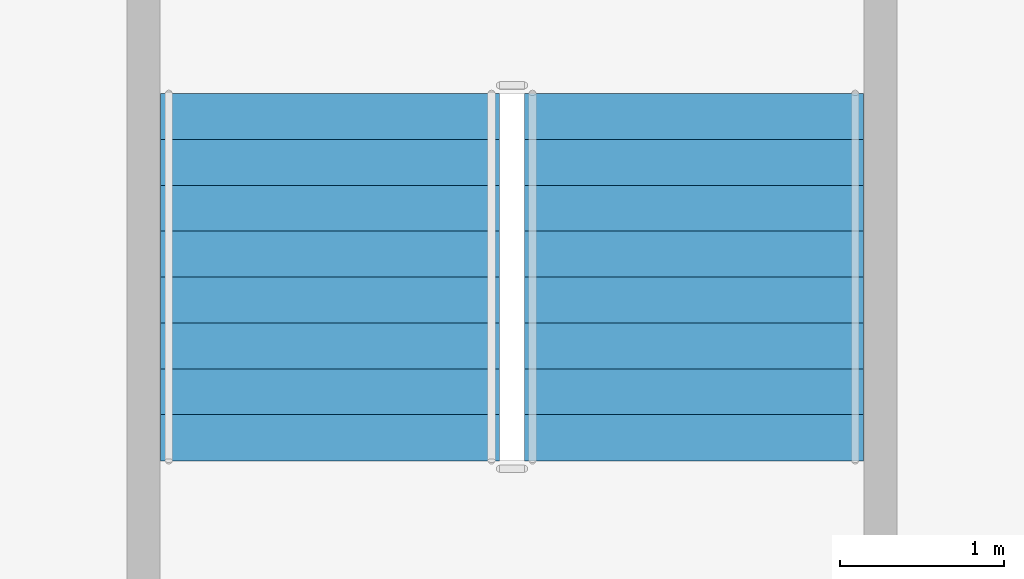
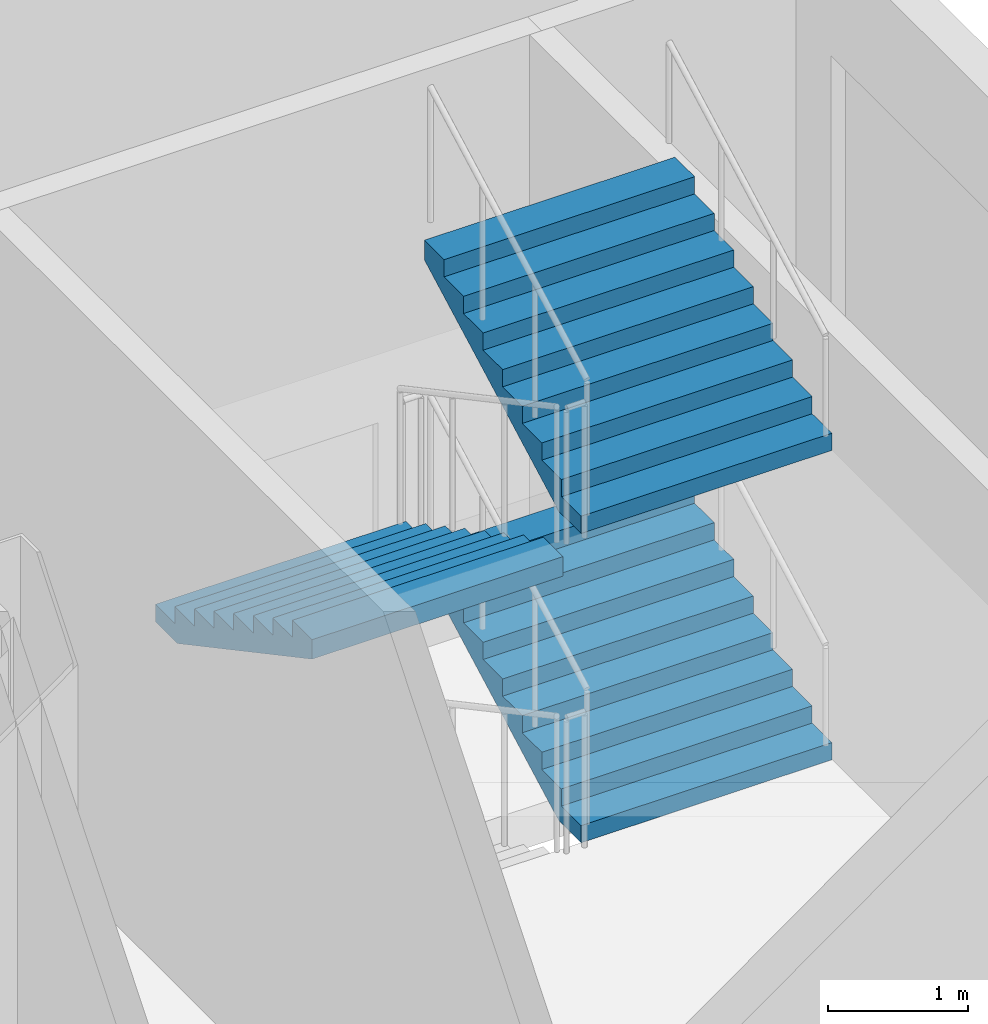
# One storey, part 19 of 26: 3 stair flights, 1 element without a shape of its own.
"""IFC4 building model written with IfcOpenShell, lengths in metres."""

from ifc_helpers import new_model, si_unit, direction, frame, origin, place, context, subcontext, project, spatial, polygons, material, type_object, element, aggregate, save


model = new_model("IFC4")

# Units and contexts
model_context = context("Model", 3, precision=1e-05, world=origin(), true_north=direction((0.0, 1.0)))
body_context = subcontext(model_context, "Body", "Model", "MODEL_VIEW")
ifc_project = project(units=[si_unit("LENGTHUNIT", "METRE"), si_unit("AREAUNIT", "SQUARE_METRE"), si_unit("VOLUMEUNIT", "CUBIC_METRE"), si_unit("PLANEANGLEUNIT", "RADIAN"), si_unit("MASSUNIT", "GRAM", prefix="KILO")], contexts=[model_context])

# Site, building, storey
site_placement = place(None, origin())
site = spatial("IfcSite", under=ifc_project, at=site_placement, CompositionType="ELEMENT")
building_placement = place(site_placement, origin())
building = spatial("IfcBuilding", under=site, at=building_placement, Name="Caravel Reach Hotel and Residences", CompositionType="ELEMENT")
storey_placement = place(building_placement, frame((0.0, 0.0, 12.0)))
storey = spatial("IfcBuildingStorey", under=building, at=storey_placement, Name="L02", CompositionType="ELEMENT", Elevation=12.0)

# Stair, stair flights
ifc_material_1 = material(Name="Concrete C40", Category="concrete")
stair_type = type_object("IfcStairType", Name="Core stair", PredefinedType="HALF_TURN_STAIR", material=ifc_material_1)
stair_placement = place(storey_placement, origin())
stair = element("IfcStair", 1, at=stair_placement, inside=storey, type_object=stair_type, Name="L02 Exit stair P7", PredefinedType="HALF_TURN_STAIR")
ifc_material_2 = material(Name="Concrete C40", Category="concrete")
stair_flight_type = type_object("IfcStairFlightType", Name="Core stair flight", PredefinedType="STRAIGHT", material=ifc_material_2)
stair_flight_1_placement = place(storey_placement, frame((64.360107421875, 9.070068359375, 1.35009765625), z_axis=(0.0, 0.0, 1.0), x_axis=(0.0, 1.0, 0.0)))
stair_flight_1 = element("IfcStairFlight", 2, at=stair_flight_1_placement, type_object=stair_flight_type, Name="ST-P7 flight 2", NumberOfRisers=9, NumberOfTreads=8, PredefinedType="STRAIGHT", RiserHeight=0.15, TreadLength=0.28, context=body_context, shape_type="Tessellation", body=[
    polygons([(0.3174408016601864, 1.0350341796875, 0.0), (0.3174408016601864, 0.6900227864583333, 0.0), (0.3174408016601864, 0.34501139322916663, 0.0), (0.3174408016601864, 0.0, 0.0), (0.3174408016601864, -0.34501139322916674, 0.0), (0.3174408016601864, -0.6900227864583333, 0.0), (0.3174408016601864, -1.0350341796875, 0.0), (2.241, 1.0350341796875, 1.029942427682043), (2.241, 0.6900227864583333, 1.029942427682043), (2.241, 0.34501139322916663, 1.029942427682043), (2.241, 0.0, 1.029942427682043), (2.241, -0.34501139322916674, 1.029942427682043), (2.241, -0.6900227864583333, 1.029942427682043), (2.241, -1.0350341796875, 1.029942427682043), (2.241, 1.0350341796875, 1.2), (2.241, 0.6900227864583333, 1.2), (2.241, 0.34501139322916663, 1.2), (2.241, 0.0, 1.2), (2.241, -0.34501139322916674, 1.2), (2.241, -0.6900227864583333, 1.2), (2.241, -1.0350341796875, 1.2), (1.9600000000000002, 1.0350341796875, 1.2), (1.9600000000000002, 0.6900227864583333, 1.2), (1.9600000000000002, 0.34501139322916663, 1.2), (1.9600000000000002, 0.0, 1.2), (1.9600000000000002, -0.34501139322916674, 1.2), (1.9600000000000002, -0.6900227864583333, 1.2), (1.9600000000000002, -1.0350341796875, 1.2), (1.9600000000000002, 1.0350341796875, 1.05), (1.9600000000000002, 0.6900227864583333, 1.05), (1.9600000000000002, 0.34501139322916663, 1.05), (1.9600000000000002, 0.0, 1.05), (1.9600000000000002, -0.34501139322916674, 1.05), (1.9600000000000002, -0.6900227864583333, 1.05), (1.9600000000000002, -1.0350341796875, 1.05), (1.6800000000000002, 1.0350341796875, 1.05), (1.6800000000000002, 0.6900227864583333, 1.05), (1.6800000000000002, 0.34501139322916663, 1.05), (1.6800000000000002, 0.0, 1.05), (1.6800000000000002, -0.34501139322916674, 1.05), (1.6800000000000002, -0.6900227864583333, 1.05), (1.6800000000000002, -1.0350341796875, 1.05), (1.6800000000000002, 1.0350341796875, 0.8999999999999999), (1.6800000000000002, 0.6900227864583333, 0.8999999999999999), (1.6800000000000002, 0.34501139322916663, 0.8999999999999999), (1.6800000000000002, 0.0, 0.8999999999999999), (1.6800000000000002, -0.34501139322916674, 0.8999999999999999), (1.6800000000000002, -0.6900227864583333, 0.8999999999999999), (1.6800000000000002, -1.0350341796875, 0.8999999999999999), (1.4000000000000001, 1.0350341796875, 0.8999999999999999), (1.4000000000000001, 0.6900227864583333, 0.8999999999999999), (1.4000000000000001, 0.34501139322916663, 0.8999999999999999), (1.4000000000000001, 0.0, 0.8999999999999999), (1.4000000000000001, -0.34501139322916674, 0.8999999999999999), (1.4000000000000001, -0.6900227864583333, 0.8999999999999999), (1.4000000000000001, -1.0350341796875, 0.8999999999999999), (1.4000000000000001, 1.0350341796875, 0.75), (1.4000000000000001, 0.6900227864583333, 0.75), (1.4000000000000001, 0.34501139322916663, 0.75), (1.4000000000000001, 0.0, 0.75), (1.4000000000000001, -0.34501139322916674, 0.75), (1.4000000000000001, -0.6900227864583333, 0.75), (1.4000000000000001, -1.0350341796875, 0.75), (1.12, 1.0350341796875, 0.75), (1.12, 0.6900227864583333, 0.75), (1.12, 0.34501139322916663, 0.75), (1.12, 0.0, 0.75), (1.12, -0.34501139322916674, 0.75), (1.12, -0.6900227864583333, 0.75), (1.12, -1.0350341796875, 0.75), (1.12, 1.0350341796875, 0.6), (1.12, 0.6900227864583333, 0.6), (1.12, 0.34501139322916663, 0.6), (1.12, 0.0, 0.6), (1.12, -0.34501139322916674, 0.6), (1.12, -0.6900227864583333, 0.6), (1.12, -1.0350341796875, 0.6), (0.8400000000000001, 1.0350341796875, 0.6), (0.8400000000000001, 0.6900227864583333, 0.6), (0.8400000000000001, 0.34501139322916663, 0.6), (0.8400000000000001, 0.0, 0.6), (0.8400000000000001, -0.34501139322916674, 0.6), (0.8400000000000001, -0.6900227864583333, 0.6), (0.8400000000000001, -1.0350341796875, 0.6), (0.8400000000000001, 1.0350341796875, 0.44999999999999996), (0.8400000000000001, 0.6900227864583333, 0.44999999999999996), (0.8400000000000001, 0.34501139322916663, 0.44999999999999996), (0.8400000000000001, 0.0, 0.44999999999999996), (0.8400000000000001, -0.34501139322916674, 0.44999999999999996), (0.8400000000000001, -0.6900227864583333, 0.44999999999999996), (0.8400000000000001, -1.0350341796875, 0.44999999999999996), (0.56, 1.0350341796875, 0.44999999999999996), (0.56, 0.6900227864583333, 0.44999999999999996), (0.56, 0.34501139322916663, 0.44999999999999996), (0.56, 0.0, 0.44999999999999996), (0.56, -0.34501139322916674, 0.44999999999999996), (0.56, -0.6900227864583333, 0.44999999999999996), (0.56, -1.0350341796875, 0.44999999999999996), (0.56, 1.0350341796875, 0.3), (0.56, 0.6900227864583333, 0.3), (0.56, 0.34501139322916663, 0.3), (0.56, 0.0, 0.3), (0.56, -0.34501139322916674, 0.3), (0.56, -0.6900227864583333, 0.3), (0.56, -1.0350341796875, 0.3), (0.28, 1.0350341796875, 0.3), (0.28, 0.6900227864583333, 0.3), (0.28, 0.34501139322916663, 0.3), (0.28, 0.0, 0.3), (0.28, -0.34501139322916674, 0.3), (0.28, -0.6900227864583333, 0.3), (0.28, -1.0350341796875, 0.3), (0.28, 1.0350341796875, 0.15), (0.28, 0.6900227864583333, 0.15), (0.28, 0.34501139322916663, 0.15), (0.28, 0.0, 0.15), (0.28, -0.34501139322916674, 0.15), (0.28, -0.6900227864583333, 0.15), (0.28, -1.0350341796875, 0.15), (-0.001, 1.0350341796875, 0.15), (-0.001, 0.6900227864583333, 0.15), (-0.001, 0.34501139322916663, 0.15), (-0.001, 0.0, 0.15), (-0.001, -0.34501139322916674, 0.15), (-0.001, -0.6900227864583333, 0.15), (-0.001, -1.0350341796875, 0.15), (-0.001, 1.0350341796875, 0.0), (-0.001, 0.6900227864583333, 0.0), (-0.001, 0.34501139322916663, 0.0), (-0.001, 0.0, 0.0), (-0.001, -0.34501139322916674, 0.0), (-0.001, -0.6900227864583333, 0.0), (-0.001, -1.0350341796875, 0.0)], [[[127, 120, 113, 106, 99, 92, 85, 78, 71, 64, 57, 50, 43, 36, 29, 22, 15, 8, 1]], [[7, 14, 21, 28, 35, 42, 49, 56, 63, 70, 77, 84, 91, 98, 105, 112, 119, 126, 133]], [[1, 8, 9, 2]], [[2, 9, 10, 3]], [[3, 10, 11, 4]], [[4, 11, 12, 5]], [[5, 12, 13, 6]], [[6, 13, 14, 7]], [[8, 15, 16, 9]], [[9, 16, 17, 10]], [[10, 17, 18, 11]], [[11, 18, 19, 12]], [[12, 19, 20, 13]], [[13, 20, 21, 14]], [[15, 22, 23, 16]], [[16, 23, 24, 17]], [[17, 24, 25, 18]], [[18, 25, 26, 19]], [[19, 26, 27, 20]], [[20, 27, 28, 21]], [[22, 29, 30, 23]], [[23, 30, 31, 24]], [[24, 31, 32, 25]], [[25, 32, 33, 26]], [[26, 33, 34, 27]], [[27, 34, 35, 28]], [[29, 36, 37, 30]], [[30, 37, 38, 31]], [[31, 38, 39, 32]], [[32, 39, 40, 33]], [[33, 40, 41, 34]], [[34, 41, 42, 35]], [[36, 43, 44, 37]], [[37, 44, 45, 38]], [[38, 45, 46, 39]], [[39, 46, 47, 40]], [[40, 47, 48, 41]], [[41, 48, 49, 42]], [[43, 50, 51, 44]], [[44, 51, 52, 45]], [[45, 52, 53, 46]], [[46, 53, 54, 47]], [[47, 54, 55, 48]], [[48, 55, 56, 49]], [[50, 57, 58, 51]], [[51, 58, 59, 52]], [[52, 59, 60, 53]], [[53, 60, 61, 54]], [[54, 61, 62, 55]], [[55, 62, 63, 56]], [[57, 64, 65, 58]], [[58, 65, 66, 59]], [[59, 66, 67, 60]], [[60, 67, 68, 61]], [[61, 68, 69, 62]], [[62, 69, 70, 63]], [[64, 71, 72, 65]], [[65, 72, 73, 66]], [[66, 73, 74, 67]], [[67, 74, 75, 68]], [[68, 75, 76, 69]], [[69, 76, 77, 70]], [[71, 78, 79, 72]], [[72, 79, 80, 73]], [[73, 80, 81, 74]], [[74, 81, 82, 75]], [[75, 82, 83, 76]], [[76, 83, 84, 77]], [[78, 85, 86, 79]], [[79, 86, 87, 80]], [[80, 87, 88, 81]], [[81, 88, 89, 82]], [[82, 89, 90, 83]], [[83, 90, 91, 84]], [[85, 92, 93, 86]], [[86, 93, 94, 87]], [[87, 94, 95, 88]], [[88, 95, 96, 89]], [[89, 96, 97, 90]], [[90, 97, 98, 91]], [[92, 99, 100, 93]], [[93, 100, 101, 94]], [[94, 101, 102, 95]], [[95, 102, 103, 96]], [[96, 103, 104, 97]], [[97, 104, 105, 98]], [[99, 106, 107, 100]], [[100, 107, 108, 101]], [[101, 108, 109, 102]], [[102, 109, 110, 103]], [[103, 110, 111, 104]], [[104, 111, 112, 105]], [[106, 113, 114, 107]], [[107, 114, 115, 108]], [[108, 115, 116, 109]], [[109, 116, 117, 110]], [[110, 117, 118, 111]], [[111, 118, 119, 112]], [[113, 120, 121, 114]], [[114, 121, 122, 115]], [[115, 122, 123, 116]], [[116, 123, 124, 117]], [[117, 124, 125, 118]], [[118, 125, 126, 119]], [[120, 127, 128, 121]], [[121, 128, 129, 122]], [[122, 129, 130, 123]], [[123, 130, 131, 124]], [[124, 131, 132, 125]], [[125, 132, 133, 126]], [[127, 1, 2, 128]], [[128, 2, 3, 129]], [[129, 3, 4, 130]], [[130, 4, 5, 131]], [[131, 5, 6, 132]], [[132, 6, 7, 133]]], closed=True),
])
stair_flight_2_placement = place(storey_placement, frame((62.139892578125, 11.31005859375, 2.699951171875), z_axis=(0.0, 0.0, 1.0), x_axis=(0.0, -1.0, 0.0)))
stair_flight_2 = element("IfcStairFlight", 3, at=stair_flight_2_placement, type_object=stair_flight_type, Name="ST-P7 flight 3", NumberOfRisers=9, NumberOfTreads=8, PredefinedType="STRAIGHT", RiserHeight=0.15, TreadLength=0.28, context=body_context, shape_type="Tessellation", body=[
    polygons([(0.3174408016601864, 1.0350341796875, 0.0), (0.3174408016601864, 0.6900227864583333, 0.0), (0.3174408016601864, 0.34501139322916663, 0.0), (0.3174408016601864, 0.0, 0.0), (0.3174408016601864, -0.34501139322916674, 0.0), (0.3174408016601864, -0.6900227864583333, 0.0), (0.3174408016601864, -1.0350341796875, 0.0), (2.241, 1.0350341796875, 1.029942427682043), (2.241, 0.6900227864583333, 1.029942427682043), (2.241, 0.34501139322916663, 1.029942427682043), (2.241, 0.0, 1.029942427682043), (2.241, -0.34501139322916674, 1.029942427682043), (2.241, -0.6900227864583333, 1.029942427682043), (2.241, -1.0350341796875, 1.029942427682043), (2.241, 1.0350341796875, 1.2), (2.241, 0.6900227864583333, 1.2), (2.241, 0.34501139322916663, 1.2), (2.241, 0.0, 1.2), (2.241, -0.34501139322916674, 1.2), (2.241, -0.6900227864583333, 1.2), (2.241, -1.0350341796875, 1.2), (1.9600000000000002, 1.0350341796875, 1.2), (1.9600000000000002, 0.6900227864583333, 1.2), (1.9600000000000002, 0.34501139322916663, 1.2), (1.9600000000000002, 0.0, 1.2), (1.9600000000000002, -0.34501139322916674, 1.2), (1.9600000000000002, -0.6900227864583333, 1.2), (1.9600000000000002, -1.0350341796875, 1.2), (1.9600000000000002, 1.0350341796875, 1.05), (1.9600000000000002, 0.6900227864583333, 1.05), (1.9600000000000002, 0.34501139322916663, 1.05), (1.9600000000000002, 0.0, 1.05), (1.9600000000000002, -0.34501139322916674, 1.05), (1.9600000000000002, -0.6900227864583333, 1.05), (1.9600000000000002, -1.0350341796875, 1.05), (1.6800000000000002, 1.0350341796875, 1.05), (1.6800000000000002, 0.6900227864583333, 1.05), (1.6800000000000002, 0.34501139322916663, 1.05), (1.6800000000000002, 0.0, 1.05), (1.6800000000000002, -0.34501139322916674, 1.05), (1.6800000000000002, -0.6900227864583333, 1.05), (1.6800000000000002, -1.0350341796875, 1.05), (1.6800000000000002, 1.0350341796875, 0.8999999999999999), (1.6800000000000002, 0.6900227864583333, 0.8999999999999999), (1.6800000000000002, 0.34501139322916663, 0.8999999999999999), (1.6800000000000002, 0.0, 0.8999999999999999), (1.6800000000000002, -0.34501139322916674, 0.8999999999999999), (1.6800000000000002, -0.6900227864583333, 0.8999999999999999), (1.6800000000000002, -1.0350341796875, 0.8999999999999999), (1.4000000000000001, 1.0350341796875, 0.8999999999999999), (1.4000000000000001, 0.6900227864583333, 0.8999999999999999), (1.4000000000000001, 0.34501139322916663, 0.8999999999999999), (1.4000000000000001, 0.0, 0.8999999999999999), (1.4000000000000001, -0.34501139322916674, 0.8999999999999999), (1.4000000000000001, -0.6900227864583333, 0.8999999999999999), (1.4000000000000001, -1.0350341796875, 0.8999999999999999), (1.4000000000000001, 1.0350341796875, 0.75), (1.4000000000000001, 0.6900227864583333, 0.75), (1.4000000000000001, 0.34501139322916663, 0.75), (1.4000000000000001, 0.0, 0.75), (1.4000000000000001, -0.34501139322916674, 0.75), (1.4000000000000001, -0.6900227864583333, 0.75), (1.4000000000000001, -1.0350341796875, 0.75), (1.12, 1.0350341796875, 0.75), (1.12, 0.6900227864583333, 0.75), (1.12, 0.34501139322916663, 0.75), (1.12, 0.0, 0.75), (1.12, -0.34501139322916674, 0.75), (1.12, -0.6900227864583333, 0.75), (1.12, -1.0350341796875, 0.75), (1.12, 1.0350341796875, 0.6), (1.12, 0.6900227864583333, 0.6), (1.12, 0.34501139322916663, 0.6), (1.12, 0.0, 0.6), (1.12, -0.34501139322916674, 0.6), (1.12, -0.6900227864583333, 0.6), (1.12, -1.0350341796875, 0.6), (0.8400000000000001, 1.0350341796875, 0.6), (0.8400000000000001, 0.6900227864583333, 0.6), (0.8400000000000001, 0.34501139322916663, 0.6), (0.8400000000000001, 0.0, 0.6), (0.8400000000000001, -0.34501139322916674, 0.6), (0.8400000000000001, -0.6900227864583333, 0.6), (0.8400000000000001, -1.0350341796875, 0.6), (0.8400000000000001, 1.0350341796875, 0.44999999999999996), (0.8400000000000001, 0.6900227864583333, 0.44999999999999996), (0.8400000000000001, 0.34501139322916663, 0.44999999999999996), (0.8400000000000001, 0.0, 0.44999999999999996), (0.8400000000000001, -0.34501139322916674, 0.44999999999999996), (0.8400000000000001, -0.6900227864583333, 0.44999999999999996), (0.8400000000000001, -1.0350341796875, 0.44999999999999996), (0.56, 1.0350341796875, 0.44999999999999996), (0.56, 0.6900227864583333, 0.44999999999999996), (0.56, 0.34501139322916663, 0.44999999999999996), (0.56, 0.0, 0.44999999999999996), (0.56, -0.34501139322916674, 0.44999999999999996), (0.56, -0.6900227864583333, 0.44999999999999996), (0.56, -1.0350341796875, 0.44999999999999996), (0.56, 1.0350341796875, 0.3), (0.56, 0.6900227864583333, 0.3), (0.56, 0.34501139322916663, 0.3), (0.56, 0.0, 0.3), (0.56, -0.34501139322916674, 0.3), (0.56, -0.6900227864583333, 0.3), (0.56, -1.0350341796875, 0.3), (0.28, 1.0350341796875, 0.3), (0.28, 0.6900227864583333, 0.3), (0.28, 0.34501139322916663, 0.3), (0.28, 0.0, 0.3), (0.28, -0.34501139322916674, 0.3), (0.28, -0.6900227864583333, 0.3), (0.28, -1.0350341796875, 0.3), (0.28, 1.0350341796875, 0.15), (0.28, 0.6900227864583333, 0.15), (0.28, 0.34501139322916663, 0.15), (0.28, 0.0, 0.15), (0.28, -0.34501139322916674, 0.15), (0.28, -0.6900227864583333, 0.15), (0.28, -1.0350341796875, 0.15), (-0.001, 1.0350341796875, 0.15), (-0.001, 0.6900227864583333, 0.15), (-0.001, 0.34501139322916663, 0.15), (-0.001, 0.0, 0.15), (-0.001, -0.34501139322916674, 0.15), (-0.001, -0.6900227864583333, 0.15), (-0.001, -1.0350341796875, 0.15), (-0.001, 1.0350341796875, 0.0), (-0.001, 0.6900227864583333, 0.0), (-0.001, 0.34501139322916663, 0.0), (-0.001, 0.0, 0.0), (-0.001, -0.34501139322916674, 0.0), (-0.001, -0.6900227864583333, 0.0), (-0.001, -1.0350341796875, 0.0)], [[[127, 120, 113, 106, 99, 92, 85, 78, 71, 64, 57, 50, 43, 36, 29, 22, 15, 8, 1]], [[7, 14, 21, 28, 35, 42, 49, 56, 63, 70, 77, 84, 91, 98, 105, 112, 119, 126, 133]], [[1, 8, 9, 2]], [[2, 9, 10, 3]], [[3, 10, 11, 4]], [[4, 11, 12, 5]], [[5, 12, 13, 6]], [[6, 13, 14, 7]], [[8, 15, 16, 9]], [[9, 16, 17, 10]], [[10, 17, 18, 11]], [[11, 18, 19, 12]], [[12, 19, 20, 13]], [[13, 20, 21, 14]], [[15, 22, 23, 16]], [[16, 23, 24, 17]], [[17, 24, 25, 18]], [[18, 25, 26, 19]], [[19, 26, 27, 20]], [[20, 27, 28, 21]], [[22, 29, 30, 23]], [[23, 30, 31, 24]], [[24, 31, 32, 25]], [[25, 32, 33, 26]], [[26, 33, 34, 27]], [[27, 34, 35, 28]], [[29, 36, 37, 30]], [[30, 37, 38, 31]], [[31, 38, 39, 32]], [[32, 39, 40, 33]], [[33, 40, 41, 34]], [[34, 41, 42, 35]], [[36, 43, 44, 37]], [[37, 44, 45, 38]], [[38, 45, 46, 39]], [[39, 46, 47, 40]], [[40, 47, 48, 41]], [[41, 48, 49, 42]], [[43, 50, 51, 44]], [[44, 51, 52, 45]], [[45, 52, 53, 46]], [[46, 53, 54, 47]], [[47, 54, 55, 48]], [[48, 55, 56, 49]], [[50, 57, 58, 51]], [[51, 58, 59, 52]], [[52, 59, 60, 53]], [[53, 60, 61, 54]], [[54, 61, 62, 55]], [[55, 62, 63, 56]], [[57, 64, 65, 58]], [[58, 65, 66, 59]], [[59, 66, 67, 60]], [[60, 67, 68, 61]], [[61, 68, 69, 62]], [[62, 69, 70, 63]], [[64, 71, 72, 65]], [[65, 72, 73, 66]], [[66, 73, 74, 67]], [[67, 74, 75, 68]], [[68, 75, 76, 69]], [[69, 76, 77, 70]], [[71, 78, 79, 72]], [[72, 79, 80, 73]], [[73, 80, 81, 74]], [[74, 81, 82, 75]], [[75, 82, 83, 76]], [[76, 83, 84, 77]], [[78, 85, 86, 79]], [[79, 86, 87, 80]], [[80, 87, 88, 81]], [[81, 88, 89, 82]], [[82, 89, 90, 83]], [[83, 90, 91, 84]], [[85, 92, 93, 86]], [[86, 93, 94, 87]], [[87, 94, 95, 88]], [[88, 95, 96, 89]], [[89, 96, 97, 90]], [[90, 97, 98, 91]], [[92, 99, 100, 93]], [[93, 100, 101, 94]], [[94, 101, 102, 95]], [[95, 102, 103, 96]], [[96, 103, 104, 97]], [[97, 104, 105, 98]], [[99, 106, 107, 100]], [[100, 107, 108, 101]], [[101, 108, 109, 102]], [[102, 109, 110, 103]], [[103, 110, 111, 104]], [[104, 111, 112, 105]], [[106, 113, 114, 107]], [[107, 114, 115, 108]], [[108, 115, 116, 109]], [[109, 116, 117, 110]], [[110, 117, 118, 111]], [[111, 118, 119, 112]], [[113, 120, 121, 114]], [[114, 121, 122, 115]], [[115, 122, 123, 116]], [[116, 123, 124, 117]], [[117, 124, 125, 118]], [[118, 125, 126, 119]], [[120, 127, 128, 121]], [[121, 128, 129, 122]], [[122, 129, 130, 123]], [[123, 130, 131, 124]], [[124, 131, 132, 125]], [[125, 132, 133, 126]], [[127, 1, 2, 128]], [[128, 2, 3, 129]], [[129, 3, 4, 130]], [[130, 4, 5, 131]], [[131, 5, 6, 132]], [[132, 6, 7, 133]]], closed=True),
])
stair_flight_3_placement = place(storey_placement, frame((64.360107421875, 9.070068359375, 4.050048828125), z_axis=(0.0, 0.0, 1.0), x_axis=(0.0, 1.0, 0.0)))
stair_flight_3 = element("IfcStairFlight", 4, at=stair_flight_3_placement, type_object=stair_flight_type, Name="ST-P7 flight 4", NumberOfRisers=9, NumberOfTreads=8, PredefinedType="STRAIGHT", RiserHeight=0.15, TreadLength=0.28, context=body_context, shape_type="Tessellation", body=[
    polygons([(0.3174408016601864, 1.0350341796875, 0.0), (0.3174408016601864, 0.6900227864583333, 0.0), (0.3174408016601864, 0.34501139322916663, 0.0), (0.3174408016601864, 0.0, 0.0), (0.3174408016601864, -0.34501139322916674, 0.0), (0.3174408016601864, -0.6900227864583333, 0.0), (0.3174408016601864, -1.0350341796875, 0.0), (2.241, 1.0350341796875, 1.029942427682043), (2.241, 0.6900227864583333, 1.029942427682043), (2.241, 0.34501139322916663, 1.029942427682043), (2.241, 0.0, 1.029942427682043), (2.241, -0.34501139322916674, 1.029942427682043), (2.241, -0.6900227864583333, 1.029942427682043), (2.241, -1.0350341796875, 1.029942427682043), (2.241, 1.0350341796875, 1.2), (2.241, 0.6900227864583333, 1.2), (2.241, 0.34501139322916663, 1.2), (2.241, 0.0, 1.2), (2.241, -0.34501139322916674, 1.2), (2.241, -0.6900227864583333, 1.2), (2.241, -1.0350341796875, 1.2), (1.9600000000000002, 1.0350341796875, 1.2), (1.9600000000000002, 0.6900227864583333, 1.2), (1.9600000000000002, 0.34501139322916663, 1.2), (1.9600000000000002, 0.0, 1.2), (1.9600000000000002, -0.34501139322916674, 1.2), (1.9600000000000002, -0.6900227864583333, 1.2), (1.9600000000000002, -1.0350341796875, 1.2), (1.9600000000000002, 1.0350341796875, 1.05), (1.9600000000000002, 0.6900227864583333, 1.05), (1.9600000000000002, 0.34501139322916663, 1.05), (1.9600000000000002, 0.0, 1.05), (1.9600000000000002, -0.34501139322916674, 1.05), (1.9600000000000002, -0.6900227864583333, 1.05), (1.9600000000000002, -1.0350341796875, 1.05), (1.6800000000000002, 1.0350341796875, 1.05), (1.6800000000000002, 0.6900227864583333, 1.05), (1.6800000000000002, 0.34501139322916663, 1.05), (1.6800000000000002, 0.0, 1.05), (1.6800000000000002, -0.34501139322916674, 1.05), (1.6800000000000002, -0.6900227864583333, 1.05), (1.6800000000000002, -1.0350341796875, 1.05), (1.6800000000000002, 1.0350341796875, 0.8999999999999999), (1.6800000000000002, 0.6900227864583333, 0.8999999999999999), (1.6800000000000002, 0.34501139322916663, 0.8999999999999999), (1.6800000000000002, 0.0, 0.8999999999999999), (1.6800000000000002, -0.34501139322916674, 0.8999999999999999), (1.6800000000000002, -0.6900227864583333, 0.8999999999999999), (1.6800000000000002, -1.0350341796875, 0.8999999999999999), (1.4000000000000001, 1.0350341796875, 0.8999999999999999), (1.4000000000000001, 0.6900227864583333, 0.8999999999999999), (1.4000000000000001, 0.34501139322916663, 0.8999999999999999), (1.4000000000000001, 0.0, 0.8999999999999999), (1.4000000000000001, -0.34501139322916674, 0.8999999999999999), (1.4000000000000001, -0.6900227864583333, 0.8999999999999999), (1.4000000000000001, -1.0350341796875, 0.8999999999999999), (1.4000000000000001, 1.0350341796875, 0.75), (1.4000000000000001, 0.6900227864583333, 0.75), (1.4000000000000001, 0.34501139322916663, 0.75), (1.4000000000000001, 0.0, 0.75), (1.4000000000000001, -0.34501139322916674, 0.75), (1.4000000000000001, -0.6900227864583333, 0.75), (1.4000000000000001, -1.0350341796875, 0.75), (1.12, 1.0350341796875, 0.75), (1.12, 0.6900227864583333, 0.75), (1.12, 0.34501139322916663, 0.75), (1.12, 0.0, 0.75), (1.12, -0.34501139322916674, 0.75), (1.12, -0.6900227864583333, 0.75), (1.12, -1.0350341796875, 0.75), (1.12, 1.0350341796875, 0.6), (1.12, 0.6900227864583333, 0.6), (1.12, 0.34501139322916663, 0.6), (1.12, 0.0, 0.6), (1.12, -0.34501139322916674, 0.6), (1.12, -0.6900227864583333, 0.6), (1.12, -1.0350341796875, 0.6), (0.8400000000000001, 1.0350341796875, 0.6), (0.8400000000000001, 0.6900227864583333, 0.6), (0.8400000000000001, 0.34501139322916663, 0.6), (0.8400000000000001, 0.0, 0.6), (0.8400000000000001, -0.34501139322916674, 0.6), (0.8400000000000001, -0.6900227864583333, 0.6), (0.8400000000000001, -1.0350341796875, 0.6), (0.8400000000000001, 1.0350341796875, 0.44999999999999996), (0.8400000000000001, 0.6900227864583333, 0.44999999999999996), (0.8400000000000001, 0.34501139322916663, 0.44999999999999996), (0.8400000000000001, 0.0, 0.44999999999999996), (0.8400000000000001, -0.34501139322916674, 0.44999999999999996), (0.8400000000000001, -0.6900227864583333, 0.44999999999999996), (0.8400000000000001, -1.0350341796875, 0.44999999999999996), (0.56, 1.0350341796875, 0.44999999999999996), (0.56, 0.6900227864583333, 0.44999999999999996), (0.56, 0.34501139322916663, 0.44999999999999996), (0.56, 0.0, 0.44999999999999996), (0.56, -0.34501139322916674, 0.44999999999999996), (0.56, -0.6900227864583333, 0.44999999999999996), (0.56, -1.0350341796875, 0.44999999999999996), (0.56, 1.0350341796875, 0.3), (0.56, 0.6900227864583333, 0.3), (0.56, 0.34501139322916663, 0.3), (0.56, 0.0, 0.3), (0.56, -0.34501139322916674, 0.3), (0.56, -0.6900227864583333, 0.3), (0.56, -1.0350341796875, 0.3), (0.28, 1.0350341796875, 0.3), (0.28, 0.6900227864583333, 0.3), (0.28, 0.34501139322916663, 0.3), (0.28, 0.0, 0.3), (0.28, -0.34501139322916674, 0.3), (0.28, -0.6900227864583333, 0.3), (0.28, -1.0350341796875, 0.3), (0.28, 1.0350341796875, 0.15), (0.28, 0.6900227864583333, 0.15), (0.28, 0.34501139322916663, 0.15), (0.28, 0.0, 0.15), (0.28, -0.34501139322916674, 0.15), (0.28, -0.6900227864583333, 0.15), (0.28, -1.0350341796875, 0.15), (-0.001, 1.0350341796875, 0.15), (-0.001, 0.6900227864583333, 0.15), (-0.001, 0.34501139322916663, 0.15), (-0.001, 0.0, 0.15), (-0.001, -0.34501139322916674, 0.15), (-0.001, -0.6900227864583333, 0.15), (-0.001, -1.0350341796875, 0.15), (-0.001, 1.0350341796875, 0.0), (-0.001, 0.6900227864583333, 0.0), (-0.001, 0.34501139322916663, 0.0), (-0.001, 0.0, 0.0), (-0.001, -0.34501139322916674, 0.0), (-0.001, -0.6900227864583333, 0.0), (-0.001, -1.0350341796875, 0.0)], [[[127, 120, 113, 106, 99, 92, 85, 78, 71, 64, 57, 50, 43, 36, 29, 22, 15, 8, 1]], [[7, 14, 21, 28, 35, 42, 49, 56, 63, 70, 77, 84, 91, 98, 105, 112, 119, 126, 133]], [[1, 8, 9, 2]], [[2, 9, 10, 3]], [[3, 10, 11, 4]], [[4, 11, 12, 5]], [[5, 12, 13, 6]], [[6, 13, 14, 7]], [[8, 15, 16, 9]], [[9, 16, 17, 10]], [[10, 17, 18, 11]], [[11, 18, 19, 12]], [[12, 19, 20, 13]], [[13, 20, 21, 14]], [[15, 22, 23, 16]], [[16, 23, 24, 17]], [[17, 24, 25, 18]], [[18, 25, 26, 19]], [[19, 26, 27, 20]], [[20, 27, 28, 21]], [[22, 29, 30, 23]], [[23, 30, 31, 24]], [[24, 31, 32, 25]], [[25, 32, 33, 26]], [[26, 33, 34, 27]], [[27, 34, 35, 28]], [[29, 36, 37, 30]], [[30, 37, 38, 31]], [[31, 38, 39, 32]], [[32, 39, 40, 33]], [[33, 40, 41, 34]], [[34, 41, 42, 35]], [[36, 43, 44, 37]], [[37, 44, 45, 38]], [[38, 45, 46, 39]], [[39, 46, 47, 40]], [[40, 47, 48, 41]], [[41, 48, 49, 42]], [[43, 50, 51, 44]], [[44, 51, 52, 45]], [[45, 52, 53, 46]], [[46, 53, 54, 47]], [[47, 54, 55, 48]], [[48, 55, 56, 49]], [[50, 57, 58, 51]], [[51, 58, 59, 52]], [[52, 59, 60, 53]], [[53, 60, 61, 54]], [[54, 61, 62, 55]], [[55, 62, 63, 56]], [[57, 64, 65, 58]], [[58, 65, 66, 59]], [[59, 66, 67, 60]], [[60, 67, 68, 61]], [[61, 68, 69, 62]], [[62, 69, 70, 63]], [[64, 71, 72, 65]], [[65, 72, 73, 66]], [[66, 73, 74, 67]], [[67, 74, 75, 68]], [[68, 75, 76, 69]], [[69, 76, 77, 70]], [[71, 78, 79, 72]], [[72, 79, 80, 73]], [[73, 80, 81, 74]], [[74, 81, 82, 75]], [[75, 82, 83, 76]], [[76, 83, 84, 77]], [[78, 85, 86, 79]], [[79, 86, 87, 80]], [[80, 87, 88, 81]], [[81, 88, 89, 82]], [[82, 89, 90, 83]], [[83, 90, 91, 84]], [[85, 92, 93, 86]], [[86, 93, 94, 87]], [[87, 94, 95, 88]], [[88, 95, 96, 89]], [[89, 96, 97, 90]], [[90, 97, 98, 91]], [[92, 99, 100, 93]], [[93, 100, 101, 94]], [[94, 101, 102, 95]], [[95, 102, 103, 96]], [[96, 103, 104, 97]], [[97, 104, 105, 98]], [[99, 106, 107, 100]], [[100, 107, 108, 101]], [[101, 108, 109, 102]], [[102, 109, 110, 103]], [[103, 110, 111, 104]], [[104, 111, 112, 105]], [[106, 113, 114, 107]], [[107, 114, 115, 108]], [[108, 115, 116, 109]], [[109, 116, 117, 110]], [[110, 117, 118, 111]], [[111, 118, 119, 112]], [[113, 120, 121, 114]], [[114, 121, 122, 115]], [[115, 122, 123, 116]], [[116, 123, 124, 117]], [[117, 124, 125, 118]], [[118, 125, 126, 119]], [[120, 127, 128, 121]], [[121, 128, 129, 122]], [[122, 129, 130, 123]], [[123, 130, 131, 124]], [[124, 131, 132, 125]], [[125, 132, 133, 126]], [[127, 1, 2, 128]], [[128, 2, 3, 129]], [[129, 3, 4, 130]], [[130, 4, 5, 131]], [[131, 5, 6, 132]], [[132, 6, 7, 133]]], closed=True),
])
aggregate(stair, [stair_flight_1, stair_flight_2, stair_flight_3])

save(model, "model.ifc")
